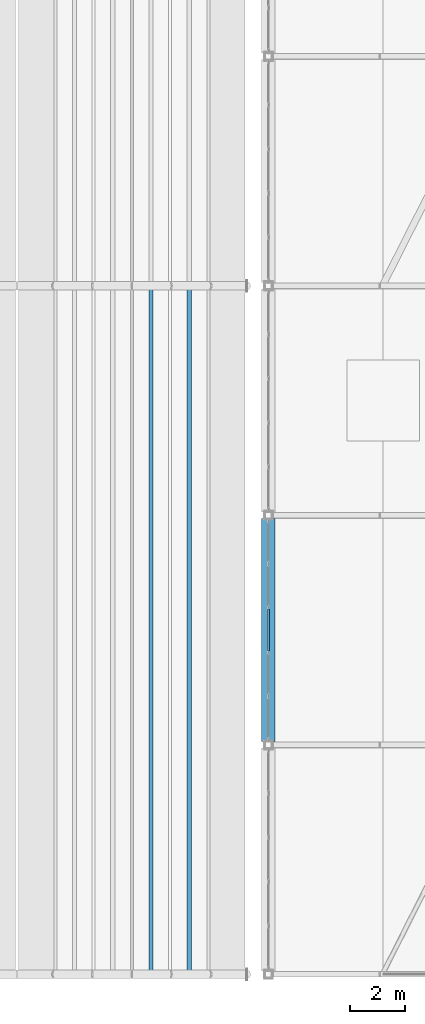
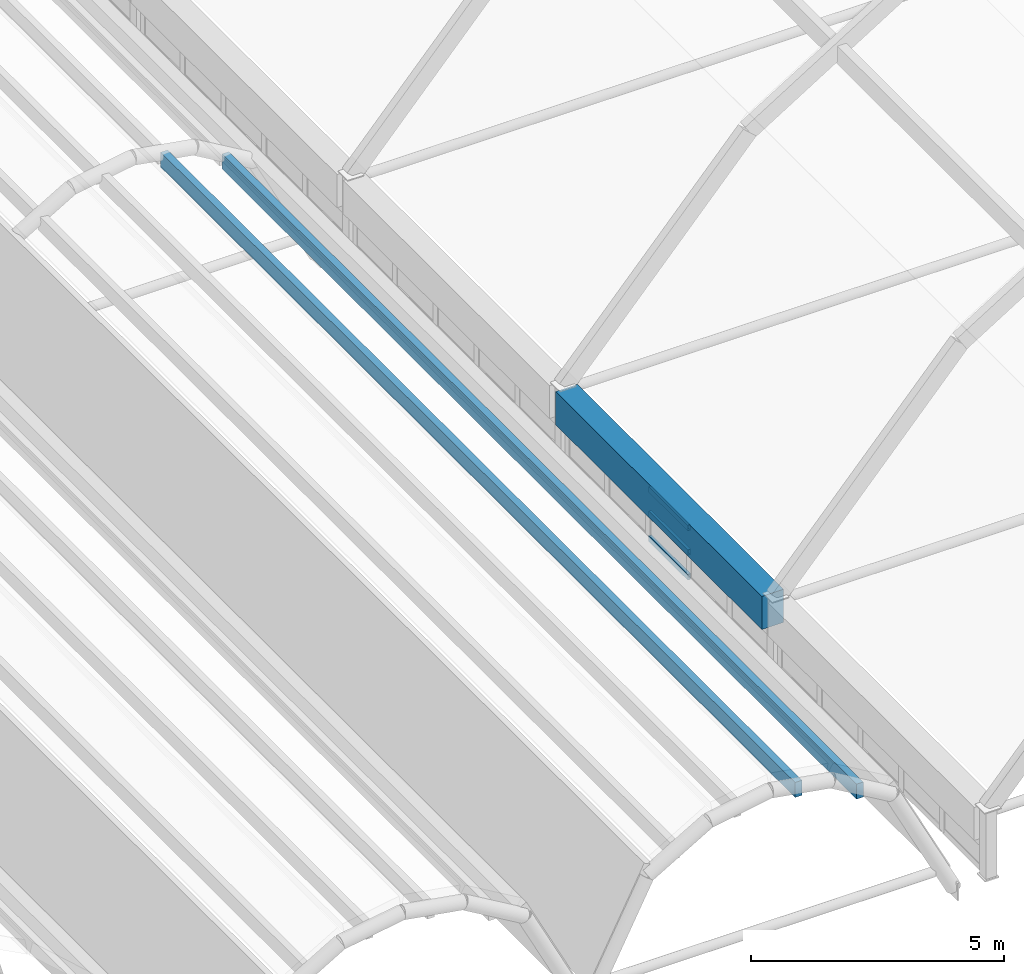
# One storey, part 14 of 114: 5 members, 1 beam, 1 element without a shape of its own.
"""IFC4 building model written with IfcOpenShell, lengths in metres."""

from ifc_helpers import new_model, si_unit, direction, frame, origin, origin_2d, place, context, subcontext, project, spatial, rectangle, hollow_rectangle, extrude, material, layer, layer_set, material_profile, profile_set, type_object, element, aggregate, save


model = new_model("IFC4")

# Units and contexts
model_context = context("Model", 3, precision=1e-05, world=origin(), true_north=direction((0.0, 1.0)))
body_context = subcontext(model_context, "Body", "Model", "MODEL_VIEW")
ifc_project = project(units=[si_unit("LENGTHUNIT", "METRE"), si_unit("AREAUNIT", "SQUARE_METRE"), si_unit("VOLUMEUNIT", "CUBIC_METRE"), si_unit("PLANEANGLEUNIT", "RADIAN"), si_unit("MASSUNIT", "GRAM", prefix="KILO")], contexts=[model_context])

# Site, building, storey
site_placement = place(None, origin())
site = spatial("IfcSite", under=ifc_project, at=site_placement, CompositionType="ELEMENT")
building_placement = place(site_placement, origin())
building = spatial("IfcBuilding", under=site, at=building_placement, Name="Xazarin Passage Department Store", CompositionType="ELEMENT")
storey_placement = place(building_placement, frame((0.0, 0.0, 14.39990234375)))
storey = spatial("IfcBuildingStorey", under=building, at=storey_placement, Name="L03", CompositionType="ELEMENT", Elevation=14.39990234375)

# Curtain wall, members
ifc_material_1 = material(Name="Bronze anodised aluminium", Category="aluminium")
ifc_layer = layer(ifc_material_1, 0.159912109375)
ifc_layer_set = layer_set([ifc_layer], Name="Bronze anodised aluminium")
curtain_wall_type = type_object("IfcCurtainWallType", Name="ARC-CW-ARC1", PredefinedType="NOTDEFINED", material=ifc_layer_set)
curtain_wall_placement = place(storey_placement, origin())
curtain_wall = element("IfcCurtainWall", 1, at=curtain_wall_placement, inside=storey, type_object=curtain_wall_type, Name="L03 V2S Galleria Clerestory Curtain Wall 2W", PredefinedType="NOTDEFINED")
ifc_material_profile_1 = material_profile(ifc_material_1, hollow_rectangle(XDim=0.06494140625, YDim=0.139892578125, WallThickness=0.00390625, at=origin_2d()), Name="ALU 65x140")
ifc_profile_set_1 = profile_set([ifc_material_profile_1], Name="Bronze anodised aluminium")
member_type_1 = type_object("IfcMemberType", Name="ARC-CWT-65x140", PredefinedType="USERDEFINED", material=ifc_profile_set_1)
member_1_placement = place(storey_placement, frame((68.0, 11.824462890625, 0.03271484375), z_axis=(0.0, 1.0, 0.0), x_axis=(-1.0, 0.0, 0.0)))
member_1 = element("IfcMember", 2, at=member_1_placement, type_object=member_type_1, Name="CW3 transom 3.1", ObjectType="TRANSOM", PredefinedType="USERDEFINED", context=body_context, shape_type="SweptSolid", body=[
    extrude(hollow_rectangle(XDim=0.06494140625, YDim=0.139892578125, WallThickness=0.00390625, at=origin_2d()), origin(), (0.0, 0.0, 1.0), 1.551025390625),
])
member_2_placement = place(storey_placement, frame((68.0, 11.824462890625, 0.6259765625), z_axis=(0.0, 1.0, 0.0), x_axis=(-1.0, 0.0, 0.0)))
member_2 = element("IfcMember", 3, at=member_2_placement, type_object=member_type_1, Name="CW3 transom 3.2", ObjectType="TRANSOM", PredefinedType="USERDEFINED", context=body_context, shape_type="SweptSolid", body=[
    extrude(hollow_rectangle(XDim=0.06494140625, YDim=0.139892578125, WallThickness=0.00390625, at=origin_2d()), origin(), (0.0, 0.0, 1.0), 1.551025390625),
])
member_3_placement = place(storey_placement, frame((68.0, 11.824462890625, 1.21923828125), z_axis=(0.0, 1.0, 0.0), x_axis=(-1.0, 0.0, 0.0)))
member_3 = element("IfcMember", 4, at=member_3_placement, type_object=member_type_1, Name="CW3 transom 3.3", ObjectType="TRANSOM", PredefinedType="USERDEFINED", context=body_context, shape_type="SweptSolid", body=[
    extrude(hollow_rectangle(XDim=0.06494140625, YDim=0.139892578125, WallThickness=0.00390625, at=origin_2d()), origin(), (0.0, 0.0, 1.0), 1.551025390625),
])
aggregate(curtain_wall, [member_1, member_2, member_3])

# Beam
ifc_material_2 = material(Name="Concrete C40/50", Category="concrete")
ifc_material_profile_2 = material_profile(ifc_material_2, rectangle(XDim=0.5, YDim=0.800048828125, at=origin_2d()), Name="RC 500x800")
ifc_profile_set_2 = profile_set([ifc_material_profile_2], Name="Concrete C40/50")
beam_type = type_object("IfcBeamType", Name="STR-BM-RG500x800", PredefinedType="BEAM", material=ifc_profile_set_2)
beam_placement = place(storey_placement, frame((68.0, 8.52001953125, 1.251708984375), z_axis=(0.0, 1.0, 0.0), x_axis=(-1.0, 0.0, 0.0)))
element("IfcBeam", 5, at=beam_placement, inside=storey, type_object=beam_type, Name="V2S Springing Ring Girder W-2", PredefinedType="BEAM", context=body_context, shape_type="SweptSolid", body=[
    extrude(rectangle(XDim=0.5, YDim=0.800048828125, at=origin_2d()), origin(), (0.0, 0.0, 1.0), 8.159912109375),
])

# Members
ifc_material_3 = material(Name="Glulam GL28h", Category="wood")
ifc_material_profile_3 = material_profile(ifc_material_3, rectangle(XDim=0.159912109375, YDim=0.360107421875, at=origin_2d()), Name="GL28h 160x360")
ifc_profile_set_3 = profile_set([ifc_material_profile_3], Name="Glulam GL28h")
member_type_2 = type_object("IfcMemberType", Name="STR-MEM-GL360", PredefinedType="PURLIN", material=ifc_profile_set_3)
for number, where, z_axis, x_axis, name in (
    (6, (63.699951171875, 0.050048828125, 3.560546875), (0.0, 1.0, 0.0), (-1.0, 0.0, 0.0), "L03 V3 Barrel Shell Purlin 7.4.1"),
    (7, (65.10009765625, 0.050048828125, 3.029296875), (0.0, 1.0, 0.0), (-1.0, 0.0, 0.0), "L03 V3 Barrel Shell Purlin 7.5.1"),
):
    element("IfcMember", number, at=place(storey_placement, frame(where, z_axis=z_axis, x_axis=x_axis)), inside=storey, type_object=member_type_2, Name=name, PredefinedType="PURLIN", context=body_context, shape_type="SweptSolid", body=[
        extrude(rectangle(XDim=0.159912109375, YDim=0.360107421875, at=origin_2d()), origin(), (0.0, 0.0, 1.0), 25.099853515625),
    ])

save(model, "model.ifc")
